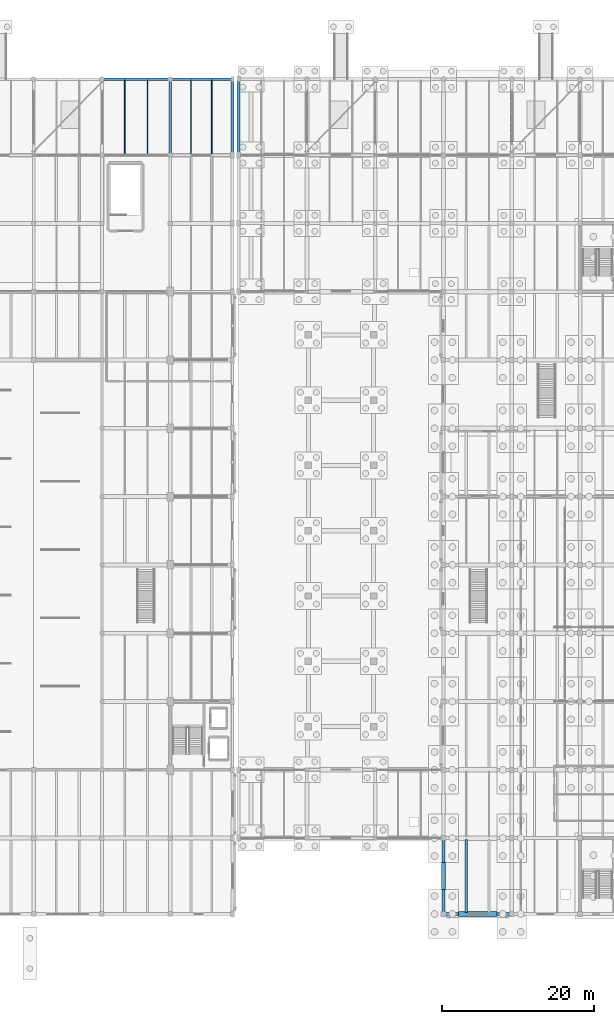
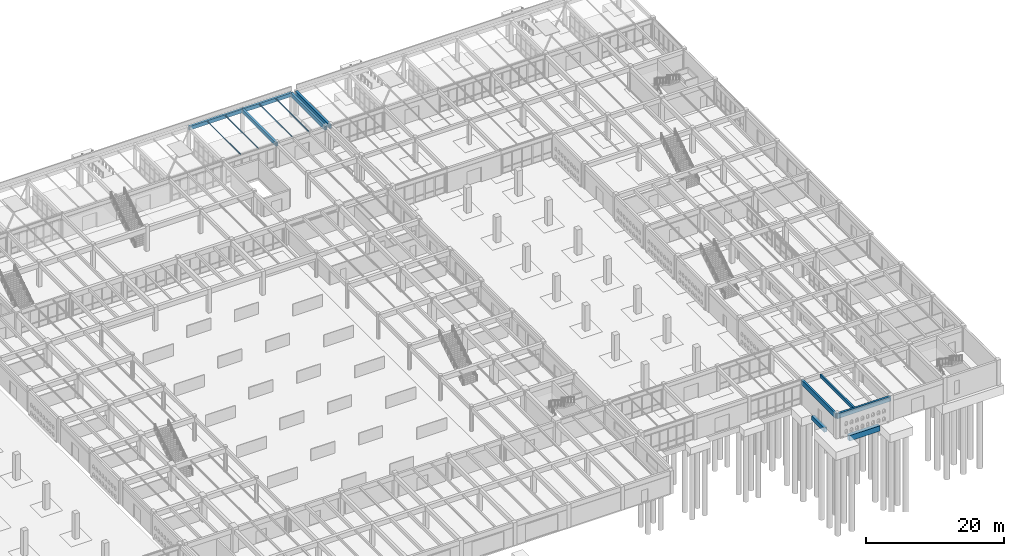
# One storey, part 105 of 186: 14 beams.
"""IFC4 building model written with IfcOpenShell, lengths in metres."""

import ifcopenshell
import ifcopenshell.guid

model = None  # the IFC model being written
_history = None  # IfcOwnerHistory: only IFC2X3 demands one
_inside = {}  # id of a spatial element -> (the spatial element, [elements in it])
_under = {}  # id of a project, library or spatial element -> (it, [spatial elements below it])
_declared = {}  # id of a project -> (the project, [libraries it declares])
_typed = {}  # id of a type object -> (the type object, [elements of that type])
_made_of = {}  # id of a material, layer set ... -> (it, [elements and type objects made of it])


def new_model(schema):
    """Start an empty IFC model of exactly this schema.

    Asked for "IFC4X3", IfcOpenShell would pick the latest addendum, in which some entities
    have other attributes; the version numbers below select the first issue.
    IFC2X3 requires an IfcOwnerHistory on every rooted entity: one is made here for all.
    """
    global model, _history
    if schema == "IFC4X3":
        model = ifcopenshell.file(schema_version=(4, 3, 0, 0))
    else:
        model = ifcopenshell.file(schema=schema)
    _inside.clear()
    _under.clear()
    _declared.clear()
    _typed.clear()
    _made_of.clear()
    _history = None
    if model.schema == "IFC2X3":
        org = make("IfcOrganization", Name="unknown")
        user = make(
            "IfcPersonAndOrganization",
            ThePerson=make("IfcPerson", FamilyName="unknown"),
            TheOrganization=org,
        )
        app = make(
            "IfcApplication",
            ApplicationDeveloper=org,
            Version="unknown",
            ApplicationFullName="unknown",
            ApplicationIdentifier="unknown",
        )
        _history = make(
            "IfcOwnerHistory",
            OwningUser=user,
            OwningApplication=app,
            ChangeAction="ADDED",
            CreationDate=0,
        )
    return model


def make(cls, **values):
    """One entity of the class cls with the attributes given. An attribute that is None is left unset."""
    return model.create_entity(
        cls, **{name: value for name, value in values.items() if value is not None}
    )


def rooted(cls, **values):
    """An entity with a GlobalId (a new one), such as an element, a storey or a relation."""
    return make(cls, GlobalId=ifcopenshell.guid.new(), OwnerHistory=_history, **values)


def si_unit(unit_type, name, prefix=None):
    """IfcSIUnit, for example si_unit("LENGTHUNIT", "METRE", prefix="MILLI")."""
    return make("IfcSIUnit", UnitType=unit_type, Prefix=prefix, Name=name)


def assignment(units):
    """IfcUnitAssignment: the units of a project."""
    return None if units is None else make("IfcUnitAssignment", Units=units)


def point(xyz):
    """IfcCartesianPoint."""
    return None if xyz is None else make("IfcCartesianPoint", Coordinates=xyz)


def direction(xyz):
    """IfcDirection."""
    return None if xyz is None else make("IfcDirection", DirectionRatios=xyz)


def frame(location, z_axis=None, x_axis=None):
    """IfcAxis2Placement3D, a coordinate frame: its origin and axes. An axis left out is left unset."""
    return make(
        "IfcAxis2Placement3D",
        Location=point(location),
        Axis=direction(z_axis),
        RefDirection=direction(x_axis),
    )


def frame_2d(location, x_axis=None):
    """IfcAxis2Placement2D, a coordinate frame in the plane: its origin and x axis."""
    return make(
        "IfcAxis2Placement2D", Location=point(location), RefDirection=direction(x_axis)
    )


def origin():
    """The frame at (0, 0, 0) with its axes left unset."""
    return frame((0.0, 0.0, 0.0))


def origin_2d():
    """The frame at (0, 0) in the plane with its x axis left unset."""
    return frame_2d((0.0, 0.0))


def place(relative_to, where):
    """IfcLocalPlacement: puts the frame where relative to a parent placement (None: the world)."""
    return make(
        "IfcLocalPlacement", PlacementRelTo=relative_to, RelativePlacement=where
    )


def context(
    kind, dimensions, precision=None, world=None, true_north=None, identifier=None
):
    """IfcGeometricRepresentationContext, for example the 3D "Model" context."""
    return make(
        "IfcGeometricRepresentationContext",
        ContextIdentifier=identifier,
        ContextType=kind,
        CoordinateSpaceDimension=dimensions,
        Precision=precision,
        WorldCoordinateSystem=world,
        TrueNorth=true_north,
    )


def subcontext(parent, identifier, kind, view, scale=None):
    """IfcGeometricRepresentationSubContext, for example "Body" below "Model"."""
    return make(
        "IfcGeometricRepresentationSubContext",
        ContextIdentifier=identifier,
        ContextType=kind,
        ParentContext=parent,
        TargetScale=scale,
        TargetView=view,
    )


def project(units=None, contexts=None):
    """IfcProject with its units and contexts."""
    return rooted(
        "IfcProject",
        Name="project",
        RepresentationContexts=contexts,
        UnitsInContext=assignment(units),
    )


def spatial(cls, under=None, at=None, **own):
    """A site, building, storey or space (cls), placed at a placement, below another one or the project."""
    s = rooted(cls, ObjectPlacement=at, **own)
    if under is not None:
        _under.setdefault(under.id(), (under, []))[1].append(s)
    return s


def profile(cls, at=None, kind="AREA", **sizes):
    """A parametric profile (cls). Its sizes go by their IFC names, for example OverallWidth=200.0."""
    return make(cls, ProfileType=kind, Position=at, **sizes)


def rectangle(**sizes):
    """IfcRectangleProfileDef."""
    return profile("IfcRectangleProfileDef", **sizes)


def hollow_rectangle(**sizes):
    """IfcRectangleHollowProfileDef."""
    return profile("IfcRectangleHollowProfileDef", **sizes)


def extrude(swept, where, along, depth):
    """IfcExtrudedAreaSolid: the profile swept, set in the frame where, extruded along a direction by depth."""
    return make(
        "IfcExtrudedAreaSolid",
        SweptArea=swept,
        Position=where,
        ExtrudedDirection=direction(along),
        Depth=depth,
    )


def shape(context_of_items, identifier, shape_type, items):
    """IfcShapeRepresentation: the items that make up one representation, for example the "Body"."""
    return make(
        "IfcShapeRepresentation",
        ContextOfItems=context_of_items,
        RepresentationIdentifier=identifier,
        RepresentationType=shape_type,
        Items=items,
    )


def material(Name=None, Category=None):
    """IfcMaterial."""
    return make("IfcMaterial", Name=Name, Category=Category)


def material_profile(
    of_material, cross_section, Name=None, Category=None, Priority=None
):
    """IfcMaterialProfile: a cross section and its material."""
    return make(
        "IfcMaterialProfile",
        Name=Name,
        Material=of_material,
        Profile=cross_section,
        Priority=Priority,
        Category=Category,
    )


def profile_set(profiles, Name=None, composite=None):
    """IfcMaterialProfileSet."""
    return make(
        "IfcMaterialProfileSet",
        Name=Name,
        MaterialProfiles=profiles,
        CompositeProfile=composite,
    )


def made_of(thing, what):
    """Note that an element or type object is made of a material, layer set ...; save() writes the relation."""
    if what is not None:
        _made_of.setdefault(what.id(), (what, []))[1].append(thing)
    return thing


def type_object(cls, material=None, **own):
    """A type object (cls), such as IfcWallType, which elements share."""
    return made_of(rooted(cls, **own), material)


def element(
    cls,
    number,
    at=None,
    inside=None,
    cuts=None,
    type_object=None,
    material=None,
    context=None,
    identifier="Body",
    shape_type=None,
    held_by="IfcProductDefinitionShape",
    body=None,
    shapes=None,
    **own,
):
    """One element of the class cls, such as IfcWall. Its Tag is "e" and its number.

    at: its placement. inside: the storey or other place that contains it. cuts: it is an
    opening in that element (IfcRelVoidsElement). A single representation is given by context,
    identifier, shape_type and body (its items); several are given by shapes. held_by: the class
    of the entity that holds the representations. save() writes the other relations.
    """
    e = rooted(cls, Tag="e%d" % number, ObjectPlacement=at, **own)
    if body is not None:
        shapes = [shape(context, identifier, shape_type, body)]
    if shapes is not None:
        e.Representation = make(held_by, Representations=shapes)
    if inside is not None:
        _inside.setdefault(inside.id(), (inside, []))[1].append(e)
    if cuts is not None:
        rooted(
            "IfcRelVoidsElement", RelatingBuildingElement=cuts, RelatedOpeningElement=e
        )
    if type_object is not None:
        _typed.setdefault(type_object.id(), (type_object, []))[1].append(e)
    return made_of(e, material)


def aggregate(whole, parts):
    """IfcRelAggregates: a whole, such as a stair, and the parts it consists of."""
    return rooted("IfcRelAggregates", RelatingObject=whole, RelatedObjects=parts)


def save(model, path):
    """Write the relations noted so far, then the file.

    IfcRelAggregates (storeys below a building ...), IfcRelContainedInSpatialStructure (elements
    in a storey), IfcRelDefinesByType, IfcRelAssociatesMaterial and IfcRelDeclares: one each for
    every whole, place, type object, material and project.
    """
    for whole, parts in _under.values():
        aggregate(whole, parts)
    for where, things in _inside.values():
        rooted(
            "IfcRelContainedInSpatialStructure",
            RelatedElements=things,
            RelatingStructure=where,
        )
    for kind, things in _typed.values():
        rooted("IfcRelDefinesByType", RelatedObjects=things, RelatingType=kind)
    for what, things in _made_of.values():
        rooted("IfcRelAssociatesMaterial", RelatedObjects=things, RelatingMaterial=what)
    for by, libraries in _declared.values():
        rooted("IfcRelDeclares", RelatingContext=by, RelatedDefinitions=libraries)
    model.write(path)


model = new_model("IFC4")

# Units and contexts
model_context = context("Model", 3, precision=1e-05, world=origin(), true_north=direction((0.0, 1.0)))
body_context = subcontext(model_context, "Body", "Model", "MODEL_VIEW")
ifc_project = project(units=[si_unit("LENGTHUNIT", "METRE"), si_unit("AREAUNIT", "SQUARE_METRE"), si_unit("VOLUMEUNIT", "CUBIC_METRE"), si_unit("PLANEANGLEUNIT", "RADIAN"), si_unit("MASSUNIT", "GRAM", prefix="KILO")], contexts=[model_context])

# Site, building, storey
site_placement = place(None, origin())
site = spatial("IfcSite", under=ifc_project, at=site_placement, CompositionType="ELEMENT")
building_placement = place(site_placement, origin())
building = spatial("IfcBuilding", under=site, at=building_placement, Name="Ornek Quay Market", CompositionType="ELEMENT")
storey_placement = place(building_placement, origin())
storey = spatial("IfcBuildingStorey", under=building, at=storey_placement, Name="L00", CompositionType="ELEMENT", Elevation=0.0)

# Beams
ifc_material_1 = material(Name="Concrete C35/45", Category="concrete")
ifc_material_profile_1 = material_profile(ifc_material_1, rectangle(XDim=0.35009765625, YDim=0.64990234375, at=origin_2d()), Name="RC 350x650", Category="concrete")
ifc_profile_set_1 = profile_set([ifc_material_profile_1], Name="Concrete C35/45")
beam_type_1 = type_object("IfcBeamType", Name="BM-CONC-350x650", PredefinedType="BEAM", material=ifc_profile_set_1)
beam_1_placement = place(storey_placement, frame((108.0, 120.0, 3.864990234375), z_axis=(1.0, 0.0, 0.0), x_axis=(0.0, 1.0, 0.0)))
element("IfcBeam", 1, at=beam_1_placement, inside=storey, type_object=beam_type_1, Name="Primary beam B-CN1-022", PredefinedType="BEAM", context=body_context, shape_type="SweptSolid", body=[
    extrude(rectangle(XDim=0.35009765625, YDim=0.64990234375, at=origin_2d()), origin(), (0.0, 0.0, 1.0), 9.0),
])
beam_2_placement = place(storey_placement, frame((117.0, 120.0, 3.864990234375), z_axis=(1.0, 0.0, 0.0), x_axis=(0.0, 1.0, 0.0)))
element("IfcBeam", 2, at=beam_2_placement, inside=storey, type_object=beam_type_1, Name="Primary beam B-CN1-023", PredefinedType="BEAM", context=body_context, shape_type="SweptSolid", body=[
    extrude(rectangle(XDim=0.35009765625, YDim=0.64990234375, at=origin_2d()), origin(), (0.0, 0.0, 1.0), 8.199951171875),
])
for number, where, z_axis, x_axis, name in (
    (3, (117.0, 110.0, 3.864990234375), (0.0, 1.0, 0.0), (-1.0, 0.0, 0.0), "Primary beam B-CN1-031"),
    (4, (125.199951171875, 110.0, 3.864990234375), (0.0, 1.0, 0.0), (-1.0, 0.0, 0.0), "Primary beam B-CN1-032"),
    (5, (126.0, 110.0, 3.864990234375), (0.0, 1.0, 0.0), (-1.0, 0.0, 0.0), "Primary beam B-CN1-045"),
):
    element("IfcBeam", number, at=place(storey_placement, frame(where, z_axis=z_axis, x_axis=x_axis)), inside=storey, type_object=beam_type_1, Name=name, PredefinedType="BEAM", context=body_context, shape_type="SweptSolid", body=[
        extrude(rectangle(XDim=0.35009765625, YDim=0.64990234375, at=origin_2d()), origin(), (0.0, 0.0, 1.0), 10.0),
    ])
ifc_material_profile_2 = material_profile(ifc_material_1, rectangle(XDim=0.5, YDim=0.75, at=origin_2d()), Name="RC 500x750", Category="concrete")
ifc_profile_set_2 = profile_set([ifc_material_profile_2], Name="Concrete C35/45")
beam_type_2 = type_object("IfcBeamType", Name="BM-GB-500x750", PredefinedType="BEAM", material=ifc_profile_set_2)
beam_3_placement = place(storey_placement, frame((153.0, 13.199951171875, -0.574951171875), z_axis=(0.0, 1.0, 0.0), x_axis=(-1.0, 0.0, 0.0)))
element("IfcBeam", 6, at=beam_3_placement, inside=storey, type_object=beam_type_2, Name="Ground tie beam GB-388", PredefinedType="BEAM", context=body_context, shape_type="SweptSolid", body=[
    extrude(rectangle(XDim=0.5, YDim=0.75, at=origin_2d()), origin(), (0.0, 0.0, 1.0), 3.60009765625),
])
ifc_material_profile_3 = material_profile(ifc_material_1, rectangle(XDim=0.60009765625, YDim=0.949951171875, at=origin_2d()), Name="RC 600x950", Category="concrete")
ifc_profile_set_3 = profile_set([ifc_material_profile_3], Name="Concrete C35/45")
beam_type_3 = type_object("IfcBeamType", Name="BM-GB-600x950", PredefinedType="BEAM", material=ifc_profile_set_3)
beam_4_placement = place(storey_placement, frame((154.949951171875, 10.0, -0.675048828125), z_axis=(1.0, 0.0, 0.0), x_axis=(0.0, 1.0, 0.0)))
element("IfcBeam", 7, at=beam_4_placement, inside=storey, type_object=beam_type_3, Name="Ground tie beam GB-306", PredefinedType="BEAM", context=body_context, shape_type="SweptSolid", body=[
    extrude(rectangle(XDim=0.60009765625, YDim=0.949951171875, at=origin_2d()), origin(), (0.0, 0.0, 1.0), 5.10009765625),
])
ifc_material_2 = material(Name="Steel S355", Category="steel")
ifc_material_profile_4 = material_profile(ifc_material_2, hollow_rectangle(XDim=0.10009765625, YDim=0.179931640625, WallThickness=0.008056640625, at=origin_2d()), Name="RHS 180x100x8", Category="steel")
ifc_profile_set_4 = profile_set([ifc_material_profile_4], Name="Steel S355")
beam_type_4 = type_object("IfcBeamType", Name="BM-RHS-RHS180x100x8", PredefinedType="BEAM", material=ifc_profile_set_4)
for number, where, z_axis, x_axis, name in (
    (8, (111.0, 110.1669921875, 4.10009765625), (0.0, 1.0, 0.0), (-1.0, 0.0, 0.0), "Secondary joist SR-03-005"),
    (9, (114.0, 110.1669921875, 4.10009765625), (0.0, 1.0, 0.0), (-1.0, 0.0, 0.0), "Secondary joist SR-03-006"),
):
    element("IfcBeam", number, at=place(storey_placement, frame(where, z_axis=z_axis, x_axis=x_axis)), inside=storey, type_object=beam_type_4, Name=name, PredefinedType="BEAM", context=body_context, shape_type="SweptSolid", body=[
        extrude(hollow_rectangle(XDim=0.10009765625, YDim=0.179931640625, WallThickness=0.008056640625, at=origin_2d()), origin(), (0.0, 0.0, 1.0), 9.666015625),
    ])
ifc_material_profile_5 = material_profile(ifc_material_2, hollow_rectangle(XDim=0.10009765625, YDim=0.199951171875, WallThickness=0.010009765625, at=origin_2d()), Name="RHS 200x100x10", Category="steel")
ifc_profile_set_5 = profile_set([ifc_material_profile_5], Name="Steel S355")
beam_type_5 = type_object("IfcBeamType", Name="BM-RHS-RHS200x100x10", PredefinedType="BEAM", material=ifc_profile_set_5)
for number, where, z_axis, x_axis, name in (
    (10, (119.7333984375, 110.1669921875, 4.090087890625), (0.0, 1.0, 0.0), (-1.0, 0.0, 0.0), "Secondary joist SR-04-005"),
    (11, (122.466796875, 110.1669921875, 4.090087890625), (0.0, 1.0, 0.0), (-1.0, 0.0, 0.0), "Secondary joist SR-04-006"),
):
    element("IfcBeam", number, at=place(storey_placement, frame(where, z_axis=z_axis, x_axis=x_axis)), inside=storey, type_object=beam_type_5, Name=name, PredefinedType="BEAM", context=body_context, shape_type="SweptSolid", body=[
        extrude(hollow_rectangle(XDim=0.10009765625, YDim=0.199951171875, WallThickness=0.010009765625, at=origin_2d()), origin(), (0.0, 0.0, 1.0), 9.666015625),
    ])
ifc_material_profile_6 = material_profile(ifc_material_1, rectangle(XDim=0.280029296875, YDim=0.5, at=origin_2d()), Name="RC 280x500", Category="concrete")
ifc_profile_set_6 = profile_set([ifc_material_profile_6], Name="Concrete C35/45")
beam_type_6 = type_object("IfcBeamType", Name="BM-SEC-280x500", PredefinedType="JOIST", material=ifc_profile_set_6)
beam_5_placement = place(storey_placement, frame((156.0, 10.1669921875, 4.0), z_axis=(0.0, 1.0, 0.0), x_axis=(-1.0, 0.0, 0.0)))
element("IfcBeam", 12, at=beam_5_placement, inside=storey, type_object=beam_type_6, Name="Secondary joist B-SC2-079", PredefinedType="JOIST", context=body_context, shape_type="SweptSolid", body=[
    extrude(rectangle(XDim=0.280029296875, YDim=0.5, at=origin_2d()), origin(), (0.0, 0.0, 1.0), 9.64111328125),
])
ifc_material_3 = material(Name="Concrete C40/50", Category="concrete")
ifc_material_profile_7 = material_profile(ifc_material_3, rectangle(XDim=0.35009765625, YDim=0.85009765625, at=origin_2d()), Name="RC 350x850", Category="concrete")
ifc_profile_set_7 = profile_set([ifc_material_profile_7], Name="Concrete C40/50")
beam_type_7 = type_object("IfcBeamType", Name="BM-SPN-350x850", PredefinedType="SPANDREL", material=ifc_profile_set_7)
beam_6_placement = place(storey_placement, frame((153.0, 10.0, 3.824951171875), z_axis=(1.0, 0.0, 0.0), x_axis=(0.0, 1.0, 0.0)))
element("IfcBeam", 13, at=beam_6_placement, inside=storey, type_object=beam_type_7, Name="Primary beam B-SP1-117", PredefinedType="SPANDREL", context=body_context, shape_type="SweptSolid", body=[
    extrude(rectangle(XDim=0.35009765625, YDim=0.85009765625, at=origin_2d()), origin(), (0.0, 0.0, 1.0), 9.0),
])
beam_7_placement = place(storey_placement, frame((153.0, 10.0, 3.824951171875), z_axis=(0.0, 1.0, 0.0), x_axis=(-1.0, 0.0, 0.0)))
element("IfcBeam", 14, at=beam_7_placement, inside=storey, type_object=beam_type_7, Name="Primary beam B-SP1-120", PredefinedType="SPANDREL", context=body_context, shape_type="SweptSolid", body=[
    extrude(rectangle(XDim=0.35009765625, YDim=0.85009765625, at=origin_2d()), origin(), (0.0, 0.0, 1.0), 10.0),
])

save(model, "model.ifc")
